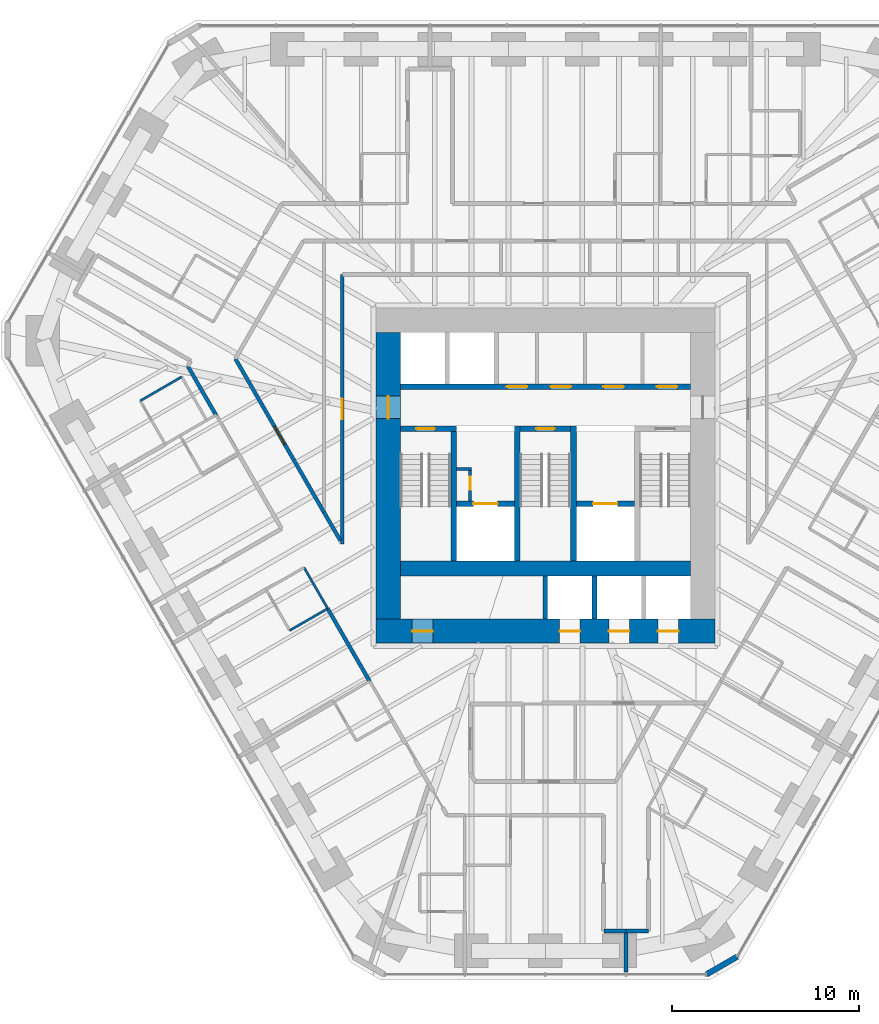
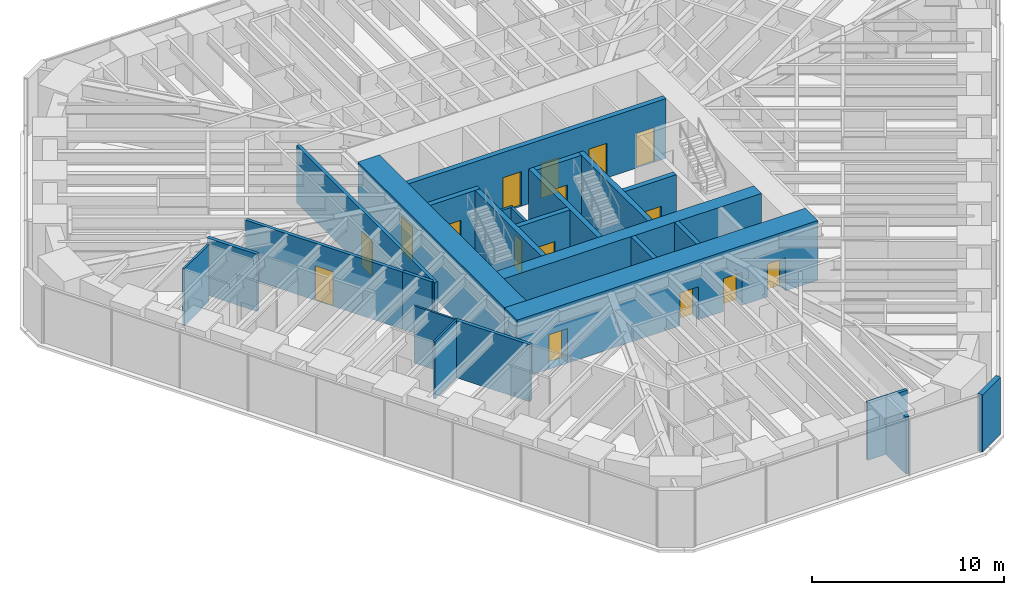
# One storey, part 12 of 17: 27 walls, 16 doors, 16 openings.
"""IFC4 building model written with IfcOpenShell, lengths in metres."""

from ifc_helpers import new_model, si_unit, direction, frame, frame_2d, origin, place, context, subcontext, project, spatial, rectangle, extrude, material, layer, layer_set, type_object, element, fill, save


model = new_model("IFC4")

# Units and contexts
model_context = context("Model", 3, precision=1e-05, world=origin(), true_north=direction((0.0, 1.0)))
body_context = subcontext(model_context, "Body", "Model", "MODEL_VIEW")
ifc_project = project(units=[si_unit("LENGTHUNIT", "METRE"), si_unit("AREAUNIT", "SQUARE_METRE"), si_unit("VOLUMEUNIT", "CUBIC_METRE"), si_unit("PLANEANGLEUNIT", "RADIAN"), si_unit("MASSUNIT", "GRAM", prefix="KILO")], contexts=[model_context])

# Site, building, storey
site_placement = place(None, origin())
site = spatial("IfcSite", under=ifc_project, at=site_placement, CompositionType="ELEMENT")
building_placement = place(site_placement, origin())
building = spatial("IfcBuilding", under=site, at=building_placement, Name="Sandreach Pilgrim Tower", CompositionType="ELEMENT")
storey_placement = place(building_placement, frame((0.0, 0.0, 112.0)))
storey = spatial("IfcBuildingStorey", under=building, at=storey_placement, Name="L27", CompositionType="ELEMENT", Elevation=112.0)

# Walls
ifc_material_1 = material(Name="Moisture-resistant gypsum board on steel studs", Category="steel")
ifc_layer_1 = layer(ifc_material_1, 0.1201171875)
ifc_layer_set_1 = layer_set([ifc_layer_1], Name="Bathroom partition 120")
wall_type_1 = type_object("IfcWallType", Name="Bathroom partition 120", PredefinedType="PARTITIONING", material=ifc_layer_set_1)
wall_1_placement = place(storey_placement, frame((-19.429931640625, 3.72998046875, 0.0), z_axis=(0.0, 0.0, 1.0), x_axis=(-0.865328095335, -0.50120583339, 0.0)))
element("IfcWall", 1, at=wall_1_placement, inside=storey, type_object=wall_type_1, Name="Bathroom partition L27-013", PredefinedType="PARTITIONING", context=body_context, shape_type="SweptSolid", body=[
    extrude(rectangle(XDim=2.553955078125, YDim=0.1201171875, at=frame_2d((1.27685546875, 0.0))), origin(), (0.0, 0.0, 1.0), 3.639892578125),
])
wall_2_placement = place(storey_placement, frame((-13.659912109375, -9.820068359375, 0.0), z_axis=(0.0, 0.0, 1.0), x_axis=(0.866345142729, 0.499445786517, 0.0)))
element("IfcWall", 2, at=wall_2_placement, inside=storey, type_object=wall_type_1, Name="Bathroom partition L27-030", PredefinedType="PARTITIONING", context=body_context, shape_type="SweptSolid", body=[
    extrude(rectangle(XDim=2.343017578125, YDim=0.1201171875, at=frame_2d((1.17138671875, 0.0))), origin(), (0.0, 0.0, 1.0), 3.639892578125),
])
wall_3_placement = place(storey_placement, frame((-12.889892578125, -6.4599609375, 0.0), z_axis=(0.0, 0.0, 1.0), x_axis=(0.498707120669, -0.866770562372, 0.0)))
element("IfcWall", 3, at=wall_3_placement, inside=storey, type_object=wall_type_1, Name="Bathroom partition L27-032", PredefinedType="PARTITIONING", context=body_context, shape_type="SweptSolid", body=[
    extrude(rectangle(XDim=2.526611328125, YDim=0.1201171875, at=frame_2d((1.26318359375, 0.0))), origin(), (0.0, 0.0, 1.0), 3.639892578125),
])
ifc_material_2 = material(Name="Concrete 10000 psi", Category="concrete")
ifc_layer_2 = layer(ifc_material_2, 0.300048828125)
ifc_layer_set_2 = layer_set([ifc_layer_2], Name="Core inner wall 300")
wall_type_2 = type_object("IfcWallType", Name="Core inner wall 300", PredefinedType="SHEAR", material=ifc_layer_set_2)
for number, where, z_axis, x_axis, name in (
    (4, (-4.89990234375, -6.10009765625, 0.0), (0.0, 0.0, 1.0), (0.0, 1.0, 0.0), "Core wall I0 L27"),
    (5, (-1.5, -6.10009765625, 0.0), (0.0, 0.0, 1.0), (0.0, 1.0, 0.0), "Core wall I1 L27"),
    (6, (1.5, -6.10009765625, 0.0), (0.0, 0.0, 1.0), (0.0, 1.0, 0.0), "Core wall I2 L27"),
):
    element("IfcWall", number, at=place(storey_placement, frame(where, z_axis=z_axis, x_axis=x_axis)), inside=storey, type_object=wall_type_2, Name=name, PredefinedType="SHEAR", context=body_context, shape_type="SweptSolid", body=[
        extrude(rectangle(XDim=7.2001953125, YDim=0.300048828125, at=frame_2d((3.60009765625, 0.0))), origin(), (0.0, 0.0, 1.0), 3.800048828125),
    ])

# Wall, opening, door
wall_4_placement = place(storey_placement, frame((-7.75, 0.949951171875, 0.0), z_axis=(0.0, 0.0, 1.0), x_axis=(1.0, 0.0, 0.0)))
wall_4 = element("IfcWall", 7, at=wall_4_placement, inside=storey, type_object=wall_type_2, Name="Core wall SN1 L27", PredefinedType="SHEAR", context=body_context, shape_type="SweptSolid", body=[
    extrude(rectangle(XDim=3.0, YDim=0.300048828125, at=frame_2d((1.5, 0.0))), origin(), (0.0, 0.0, 1.0), 3.800048828125),
])
opening_1_placement = place(wall_4_placement, frame((0.85009765625, 0.0, 0.0)))
opening_1 = element("IfcOpeningElement", 8, at=opening_1_placement, cuts=wall_4, Name="Opening D10S-ST1", PredefinedType="OPENING", context=body_context, shape_type="SweptSolid", body=[
    extrude(rectangle(XDim=1.0, YDim=2.199951171875, at=frame_2d((0.5, 1.10009765625))), frame((0.0, 0.14990234375, 0.0), z_axis=(0.0, -1.0, 0.0), x_axis=(1.0, 0.0, 0.0)), (0.0, 0.0, 1.0), 0.300048828125),
])
ifc_material_3 = material(Name="Steel door and frame", Category="steel")
door_type_1 = type_object("IfcDoorType", Name="Stair door", OperationType="SINGLE_SWING_LEFT", PredefinedType="DOOR", material=ifc_material_3)
door_1_placement = place(opening_1_placement, origin())
door_1 = element("IfcDoor", 9, at=door_1_placement, inside=storey, type_object=door_type_1, Name="Stair door ST1 L27", OperationType="SINGLE_SWING_LEFT", OverallHeight=2.199951171875, OverallWidth=1.0, PredefinedType="DOOR", context=body_context, shape_type="SweptSolid", body=[
    extrude(rectangle(XDim=1.0, YDim=2.199951171875, at=frame_2d((0.5, 1.10009765625))), frame((0.0, 0.02490234375, 0.0), z_axis=(0.0, -1.0, 0.0), x_axis=(1.0, 0.0, 0.0)), (0.0, 0.0, 1.0), 0.050048828125),
])
fill(opening_1, door_1)

wall_5_placement = place(storey_placement, frame((-1.35009765625, 0.949951171875, 0.0), z_axis=(0.0, 0.0, 1.0), x_axis=(1.0, 0.0, 0.0)))
wall_5 = element("IfcWall", 10, at=wall_5_placement, inside=storey, type_object=wall_type_2, Name="Core wall SN3 L27", PredefinedType="SHEAR", context=body_context, shape_type="SweptSolid", body=[
    extrude(rectangle(XDim=2.7001953125, YDim=0.300048828125, at=frame_2d((1.35009765625, 0.0))), origin(), (0.0, 0.0, 1.0), 3.800048828125),
])
opening_2_placement = place(wall_5_placement, frame((0.85009765625, 0.0, 0.0)))
opening_2 = element("IfcOpeningElement", 11, at=opening_2_placement, cuts=wall_5, Name="Opening D10S-ST3", PredefinedType="OPENING", context=body_context, shape_type="SweptSolid", body=[
    extrude(rectangle(XDim=1.0, YDim=2.199951171875, at=frame_2d((0.5, 1.10009765625))), frame((0.0, 0.14990234375, 0.0), z_axis=(0.0, -1.0, 0.0), x_axis=(1.0, 0.0, 0.0)), (0.0, 0.0, 1.0), 0.300048828125),
])
door_2_placement = place(opening_2_placement, origin())
door_2 = element("IfcDoor", 12, at=door_2_placement, inside=storey, type_object=door_type_1, Name="Stair door ST3 L27", OperationType="SINGLE_SWING_LEFT", OverallHeight=2.199951171875, OverallWidth=1.0, PredefinedType="DOOR", context=body_context, shape_type="SweptSolid", body=[
    extrude(rectangle(XDim=1.0, YDim=2.199951171875, at=frame_2d((0.5, 1.10009765625))), frame((0.0, 0.02490234375, 0.0), z_axis=(0.0, -1.0, 0.0), x_axis=(1.0, 0.0, 0.0)), (0.0, 0.0, 1.0), 0.050048828125),
])
fill(opening_2, door_2)

wall_6_placement = place(storey_placement, frame((-4.75, -3.050048828125, 0.0), z_axis=(0.0, 0.0, 1.0), x_axis=(1.0, 0.0, 0.0)))
wall_6 = element("IfcWall", 13, at=wall_6_placement, inside=storey, type_object=wall_type_2, Name="Core wall FL1 L27", PredefinedType="SHEAR", context=body_context, shape_type="SweptSolid", body=[
    extrude(rectangle(XDim=3.10009765625, YDim=0.300048828125, at=frame_2d((1.550048828125, 0.0))), origin(), (0.0, 0.0, 1.0), 3.800048828125),
])
opening_3_placement = place(wall_6_placement, frame((0.89990234375, 0.0, 0.0)))
opening_3 = element("IfcOpeningElement", 14, at=opening_3_placement, cuts=wall_6, Name="Opening LD13", PredefinedType="OPENING", context=body_context, shape_type="SweptSolid", body=[
    extrude(rectangle(XDim=1.300048828125, YDim=2.10009765625, at=frame_2d((0.64990234375, 1.050048828125))), frame((0.0, 0.14990234375, 0.0), z_axis=(0.0, -1.0, 0.0), x_axis=(1.0, 0.0, 0.0)), (0.0, 0.0, 1.0), 0.300048828125),
])
ifc_material_4 = material(Name="Steel door and frame", Category="steel")
door_type_2 = type_object("IfcDoorType", Name="Fire service lift landing door", OperationType="DOUBLE_DOOR_SLIDING", PredefinedType="DOOR", material=ifc_material_4)
door_3_placement = place(opening_3_placement, origin())
door_3 = element("IfcDoor", 15, at=door_3_placement, inside=storey, type_object=door_type_2, Name="Lift landing door FS1 L27", OperationType="DOUBLE_DOOR_SLIDING", OverallHeight=2.10009765625, OverallWidth=1.300048828125, PredefinedType="DOOR", context=body_context, shape_type="SweptSolid", body=[
    extrude(rectangle(XDim=1.300048828125, YDim=2.10009765625, at=frame_2d((0.64990234375, 1.050048828125))), frame((0.0, 0.02490234375, 0.0), z_axis=(0.0, -1.0, 0.0), x_axis=(1.0, 0.0, 0.0)), (0.0, 0.0, 1.0), 0.050048828125),
])
fill(opening_3, door_3)

wall_7_placement = place(storey_placement, frame((1.64990234375, -3.050048828125, 0.0), z_axis=(0.0, 0.0, 1.0), x_axis=(1.0, 0.0, 0.0)))
wall_7 = element("IfcWall", 16, at=wall_7_placement, inside=storey, type_object=wall_type_2, Name="Core wall FL2 L27", PredefinedType="SHEAR", context=body_context, shape_type="SweptSolid", body=[
    extrude(rectangle(XDim=3.10009765625, YDim=0.300048828125, at=frame_2d((1.550048828125, 0.0))), origin(), (0.0, 0.0, 1.0), 3.800048828125),
])
opening_4_placement = place(wall_7_placement, frame((0.89990234375, 0.0, 0.0)))
opening_4 = element("IfcOpeningElement", 17, at=opening_4_placement, cuts=wall_7, Name="Opening LD13", PredefinedType="OPENING", context=body_context, shape_type="SweptSolid", body=[
    extrude(rectangle(XDim=1.300048828125, YDim=2.10009765625, at=frame_2d((0.64990234375, 1.050048828125))), frame((0.0, 0.14990234375, 0.0), z_axis=(0.0, -1.0, 0.0), x_axis=(1.0, 0.0, 0.0)), (0.0, 0.0, 1.0), 0.300048828125),
])
door_4_placement = place(opening_4_placement, origin())
door_4 = element("IfcDoor", 18, at=door_4_placement, inside=storey, type_object=door_type_2, Name="Lift landing door FS2 L27", OperationType="DOUBLE_DOOR_SLIDING", OverallHeight=2.10009765625, OverallWidth=1.300048828125, PredefinedType="DOOR", context=body_context, shape_type="SweptSolid", body=[
    extrude(rectangle(XDim=1.300048828125, YDim=2.10009765625, at=frame_2d((0.64990234375, 1.050048828125))), frame((0.0, 0.02490234375, 0.0), z_axis=(0.0, -1.0, 0.0), x_axis=(1.0, 0.0, 0.0)), (0.0, 0.0, 1.0), 0.050048828125),
])
fill(opening_4, door_4)

# Wall, openings, doors
wall_8_placement = place(storey_placement, frame((-7.75, 3.199951171875, 0.0), z_axis=(0.0, 0.0, 1.0), x_axis=(1.0, 0.0, 0.0)))
wall_8 = element("IfcWall", 19, at=wall_8_placement, inside=storey, type_object=wall_type_2, Name="Core wall PN L27", PredefinedType="SHEAR", context=body_context, shape_type="SweptSolid", body=[
    extrude(rectangle(XDim=15.5, YDim=0.300048828125, at=frame_2d((7.75, 0.0))), origin(), (0.0, 0.0, 1.0), 3.800048828125),
])
opening_5_placement = place(wall_8_placement, frame((5.6875, 0.0, 0.0)))
opening_5 = element("IfcOpeningElement", 20, at=opening_5_placement, cuts=wall_8, Name="Opening D11L", PredefinedType="OPENING", context=body_context, shape_type="SweptSolid", body=[
    extrude(rectangle(XDim=1.10009765625, YDim=2.199951171875, at=frame_2d((0.550048828125, 1.10009765625))), frame((0.0, 0.14990234375, 0.0), z_axis=(0.0, -1.0, 0.0), x_axis=(1.0, 0.0, 0.0)), (0.0, 0.0, 1.0), 0.300048828125),
])
opening_6_placement = place(wall_8_placement, frame((8.03125, 0.0, 0.0)))
opening_6 = element("IfcOpeningElement", 21, at=opening_6_placement, cuts=wall_8, Name="Opening D11L", PredefinedType="OPENING", context=body_context, shape_type="SweptSolid", body=[
    extrude(rectangle(XDim=1.10009765625, YDim=2.199951171875, at=frame_2d((0.550048828125, 1.10009765625))), frame((0.0, 0.14990234375, 0.0), z_axis=(0.0, -1.0, 0.0), x_axis=(1.0, 0.0, 0.0)), (0.0, 0.0, 1.0), 0.300048828125),
])
opening_7_placement = place(wall_8_placement, frame((10.85009765625, 0.0, 0.0)))
opening_7 = element("IfcOpeningElement", 22, at=opening_7_placement, cuts=wall_8, Name="Opening D11L", PredefinedType="OPENING", context=body_context, shape_type="SweptSolid", body=[
    extrude(rectangle(XDim=1.10009765625, YDim=2.199951171875, at=frame_2d((0.550048828125, 1.10009765625))), frame((0.0, 0.14990234375, 0.0), z_axis=(0.0, -1.0, 0.0), x_axis=(1.0, 0.0, 0.0)), (0.0, 0.0, 1.0), 0.300048828125),
])
opening_8_placement = place(wall_8_placement, frame((13.706298828125, 0.0, 0.0)))
opening_8 = element("IfcOpeningElement", 23, at=opening_8_placement, cuts=wall_8, Name="Opening D11L", PredefinedType="OPENING", context=body_context, shape_type="SweptSolid", body=[
    extrude(rectangle(XDim=1.10009765625, YDim=2.199951171875, at=frame_2d((0.550048828125, 1.10009765625))), frame((0.0, 0.14990234375, 0.0), z_axis=(0.0, -1.0, 0.0), x_axis=(1.0, 0.0, 0.0)), (0.0, 0.0, 1.0), 0.300048828125),
])
ifc_material_5 = material(Name="Steel door and frame, smoke seals", Category="steel")
door_type_3 = type_object("IfcDoorType", Name="Core room door", OperationType="SINGLE_SWING_LEFT", PredefinedType="DOOR", material=ifc_material_5)
door_5_placement = place(opening_5_placement, origin())
door_5 = element("IfcDoor", 24, at=door_5_placement, inside=storey, type_object=door_type_3, Name="Door linen and housekeeping store 27K1", OperationType="SINGLE_SWING_LEFT", OverallHeight=2.199951171875, OverallWidth=1.10009765625, PredefinedType="DOOR", context=body_context, shape_type="SweptSolid", body=[
    extrude(rectangle(XDim=1.10009765625, YDim=2.199951171875, at=frame_2d((0.550048828125, 1.10009765625))), frame((0.0, 0.02490234375, 0.0), z_axis=(0.0, -1.0, 0.0), x_axis=(1.0, 0.0, 0.0)), (0.0, 0.0, 1.0), 0.050048828125),
])
fill(opening_5, door_5)
door_6_placement = place(opening_6_placement, origin())
door_6 = element("IfcDoor", 25, at=door_6_placement, inside=storey, type_object=door_type_3, Name="Door cleaners store 27K2", OperationType="SINGLE_SWING_RIGHT", OverallHeight=2.199951171875, OverallWidth=1.10009765625, PredefinedType="DOOR", context=body_context, shape_type="SweptSolid", body=[
    extrude(rectangle(XDim=1.10009765625, YDim=2.199951171875, at=frame_2d((0.550048828125, 1.10009765625))), frame((0.0, 0.02490234375, 0.0), z_axis=(0.0, -1.0, 0.0), x_axis=(1.0, 0.0, 0.0)), (0.0, 0.0, 1.0), 0.050048828125),
])
fill(opening_6, door_6)
door_7_placement = place(opening_7_placement, origin())
door_7 = element("IfcDoor", 26, at=door_7_placement, inside=storey, type_object=door_type_3, Name="Door storage room 27K3", OperationType="SINGLE_SWING_RIGHT", OverallHeight=2.199951171875, OverallWidth=1.10009765625, PredefinedType="DOOR", context=body_context, shape_type="SweptSolid", body=[
    extrude(rectangle(XDim=1.10009765625, YDim=2.199951171875, at=frame_2d((0.550048828125, 1.10009765625))), frame((0.0, 0.02490234375, 0.0), z_axis=(0.0, -1.0, 0.0), x_axis=(1.0, 0.0, 0.0)), (0.0, 0.0, 1.0), 0.050048828125),
])
fill(opening_7, door_7)
door_8_placement = place(opening_8_placement, origin())
door_8 = element("IfcDoor", 27, at=door_8_placement, inside=storey, type_object=door_type_3, Name="Door refuse room 27K4", OperationType="SINGLE_SWING_RIGHT", OverallHeight=2.199951171875, OverallWidth=1.10009765625, PredefinedType="DOOR", context=body_context, shape_type="SweptSolid", body=[
    extrude(rectangle(XDim=1.10009765625, YDim=2.199951171875, at=frame_2d((0.550048828125, 1.10009765625))), frame((0.0, 0.02490234375, 0.0), z_axis=(0.0, -1.0, 0.0), x_axis=(1.0, 0.0, 0.0)), (0.0, 0.0, 1.0), 0.050048828125),
])
fill(opening_8, door_8)

# Wall
ifc_material_6 = material(Name="Concrete 10000 psi", Category="concrete")
ifc_layer_3 = layer(ifc_material_6, 0.800048828125)
ifc_layer_set_3 = layer_set([ifc_layer_3], Name="Core mid wall 800")
wall_type_3 = type_object("IfcWallType", Name="Core mid wall 800", PredefinedType="SHEAR", material=ifc_layer_set_3)
wall_9_placement = place(storey_placement, frame((-7.75, -6.5, 0.0), z_axis=(0.0, 0.0, 1.0), x_axis=(1.0, 0.0, 0.0)))
element("IfcWall", 28, at=wall_9_placement, inside=storey, type_object=wall_type_3, Name="Core wall M L27", PredefinedType="SHEAR", context=body_context, shape_type="SweptSolid", body=[
    extrude(rectangle(XDim=15.5, YDim=0.800048828125, at=frame_2d((7.75, 0.0))), origin(), (0.0, 0.0, 1.0), 3.800048828125),
])

# Wall, openings, doors
ifc_material_7 = material(Name="Concrete 10000 psi", Category="concrete")
ifc_layer_4 = layer(ifc_material_7, 1.300048828125)
ifc_layer_set_4 = layer_set([ifc_layer_4], Name="Core wall 1300")
wall_type_4 = type_object("IfcWallType", Name="Core wall 1300", PredefinedType="SHEAR", material=ifc_layer_set_4)
wall_10_placement = place(storey_placement, frame((-9.050048828125, -9.85009765625, 0.0), z_axis=(0.0, 0.0, 1.0), x_axis=(1.0, 0.0, 0.0)))
wall_10 = element("IfcWall", 29, at=wall_10_placement, inside=storey, type_object=wall_type_4, Name="Core wall S L27", PredefinedType="SHEAR", context=body_context, shape_type="SweptSolid", body=[
    extrude(rectangle(XDim=18.10009765625, YDim=1.300048828125, at=frame_2d((9.050048828125, 0.0))), origin(), (0.0, 0.0, 1.0), 3.800048828125),
])
opening_9_placement = place(wall_10_placement, frame((1.9375, 0.0, 0.0)))
opening_9 = element("IfcOpeningElement", 30, at=opening_9_placement, cuts=wall_10, Name="Opening D11H", PredefinedType="OPENING", context=body_context, shape_type="SweptSolid", body=[
    extrude(rectangle(XDim=1.10009765625, YDim=2.199951171875, at=frame_2d((0.550048828125, 1.10009765625))), frame((0.0, 0.64990234375, 0.0), z_axis=(0.0, -1.0, 0.0), x_axis=(1.0, 0.0, 0.0)), (0.0, 0.0, 1.0), 1.300048828125),
])
opening_10_placement = place(wall_10_placement, frame((9.8125, 0.0, 0.0)))
opening_10 = element("IfcOpeningElement", 31, at=opening_10_placement, cuts=wall_10, Name="Opening LD11", PredefinedType="OPENING", context=body_context, shape_type="SweptSolid", body=[
    extrude(rectangle(XDim=1.10009765625, YDim=2.10009765625, at=frame_2d((0.550048828125, 1.050048828125))), frame((0.0, 0.64990234375, 0.0), z_axis=(0.0, -1.0, 0.0), x_axis=(1.0, 0.0, 0.0)), (0.0, 0.0, 1.0), 1.300048828125),
])
opening_11_placement = place(wall_10_placement, frame((12.4375, 0.0, 0.0)))
opening_11 = element("IfcOpeningElement", 32, at=opening_11_placement, cuts=wall_10, Name="Opening LD11", PredefinedType="OPENING", context=body_context, shape_type="SweptSolid", body=[
    extrude(rectangle(XDim=1.10009765625, YDim=2.10009765625, at=frame_2d((0.550048828125, 1.050048828125))), frame((0.0, 0.64990234375, 0.0), z_axis=(0.0, -1.0, 0.0), x_axis=(1.0, 0.0, 0.0)), (0.0, 0.0, 1.0), 1.300048828125),
])
opening_12_placement = place(wall_10_placement, frame((15.0625, 0.0, 0.0)))
opening_12 = element("IfcOpeningElement", 33, at=opening_12_placement, cuts=wall_10, Name="Opening LD11", PredefinedType="OPENING", context=body_context, shape_type="SweptSolid", body=[
    extrude(rectangle(XDim=1.10009765625, YDim=2.10009765625, at=frame_2d((0.550048828125, 1.050048828125))), frame((0.0, 0.64990234375, 0.0), z_axis=(0.0, -1.0, 0.0), x_axis=(1.0, 0.0, 0.0)), (0.0, 0.0, 1.0), 1.300048828125),
])
ifc_material_8 = material(Name="Steel door and frame", Category="steel")
door_type_4 = type_object("IfcDoorType", Name="Back of house door", OperationType="SINGLE_SWING_LEFT", PredefinedType="DOOR", material=ifc_material_8)
door_9_placement = place(opening_9_placement, origin())
door_9 = element("IfcDoor", 34, at=door_9_placement, inside=storey, type_object=door_type_4, Name="Door staff room 27K5", OperationType="SINGLE_SWING_LEFT", OverallHeight=2.199951171875, OverallWidth=1.10009765625, PredefinedType="DOOR", context=body_context, shape_type="SweptSolid", body=[
    extrude(rectangle(XDim=1.10009765625, YDim=2.199951171875, at=frame_2d((0.550048828125, 1.10009765625))), frame((0.0, 0.02490234375, 0.0), z_axis=(0.0, -1.0, 0.0), x_axis=(1.0, 0.0, 0.0)), (0.0, 0.0, 1.0), 0.050048828125),
])
fill(opening_9, door_9)
ifc_material_9 = material(Name="Steel door and frame", Category="steel")
door_type_5 = type_object("IfcDoorType", Name="Lift landing door", OperationType="DOUBLE_DOOR_SLIDING", PredefinedType="DOOR", material=ifc_material_9)
door_10_placement = place(opening_10_placement, origin())
door_10 = element("IfcDoor", 35, at=door_10_placement, inside=storey, type_object=door_type_5, Name="Lift landing door Z2A L27", OperationType="DOUBLE_DOOR_SLIDING", OverallHeight=2.10009765625, OverallWidth=1.10009765625, PredefinedType="DOOR", context=body_context, shape_type="SweptSolid", body=[
    extrude(rectangle(XDim=1.10009765625, YDim=2.10009765625, at=frame_2d((0.550048828125, 1.050048828125))), frame((0.0, 0.02490234375, 0.0), z_axis=(0.0, -1.0, 0.0), x_axis=(1.0, 0.0, 0.0)), (0.0, 0.0, 1.0), 0.050048828125),
])
fill(opening_10, door_10)
door_11_placement = place(opening_11_placement, origin())
door_11 = element("IfcDoor", 36, at=door_11_placement, inside=storey, type_object=door_type_5, Name="Lift landing door Z2B L27", OperationType="DOUBLE_DOOR_SLIDING", OverallHeight=2.10009765625, OverallWidth=1.10009765625, PredefinedType="DOOR", context=body_context, shape_type="SweptSolid", body=[
    extrude(rectangle(XDim=1.10009765625, YDim=2.10009765625, at=frame_2d((0.550048828125, 1.050048828125))), frame((0.0, 0.02490234375, 0.0), z_axis=(0.0, -1.0, 0.0), x_axis=(1.0, 0.0, 0.0)), (0.0, 0.0, 1.0), 0.050048828125),
])
fill(opening_11, door_11)
door_12_placement = place(opening_12_placement, origin())
door_12 = element("IfcDoor", 37, at=door_12_placement, inside=storey, type_object=door_type_5, Name="Lift landing door Z2C L27", OperationType="DOUBLE_DOOR_SLIDING", OverallHeight=2.10009765625, OverallWidth=1.10009765625, PredefinedType="DOOR", context=body_context, shape_type="SweptSolid", body=[
    extrude(rectangle(XDim=1.10009765625, YDim=2.10009765625, at=frame_2d((0.550048828125, 1.050048828125))), frame((0.0, 0.02490234375, 0.0), z_axis=(0.0, -1.0, 0.0), x_axis=(1.0, 0.0, 0.0)), (0.0, 0.0, 1.0), 0.050048828125),
])
fill(opening_12, door_12)

# Wall, opening, door
wall_11_placement = place(storey_placement, frame((-8.39990234375, -9.199951171875, 0.0), z_axis=(0.0, 0.0, 1.0), x_axis=(0.0, 1.0, 0.0)))
wall_11 = element("IfcWall", 38, at=wall_11_placement, inside=storey, type_object=wall_type_4, Name="Core wall W L27", PredefinedType="SHEAR", context=body_context, shape_type="SweptSolid", body=[
    extrude(rectangle(XDim=15.300048828125, YDim=1.300048828125, at=frame_2d((7.64990234375, 0.0))), origin(), (0.0, 0.0, 1.0), 3.800048828125),
])
opening_13_placement = place(wall_11_placement, frame((10.699951171875, 0.0, 0.0)))
opening_13 = element("IfcOpeningElement", 39, at=opening_13_placement, cuts=wall_11, Name="Opening D12F-W", PredefinedType="OPENING", context=body_context, shape_type="SweptSolid", body=[
    extrude(rectangle(XDim=1.199951171875, YDim=2.199951171875, at=frame_2d((0.60009765625, 1.10009765625))), frame((0.0, 0.64990234375, 0.0), z_axis=(0.0, -1.0, 0.0), x_axis=(1.0, 0.0, 0.0)), (0.0, 0.0, 1.0), 1.300048828125),
])
ifc_material_10 = material(Name="Steel door and frame", Category="steel")
door_type_6 = type_object("IfcDoorType", Name="Fire lobby door", OperationType="SINGLE_SWING_LEFT", PredefinedType="DOOR", material=ifc_material_10)
door_13_placement = place(opening_13_placement, origin())
door_13 = element("IfcDoor", 40, at=door_13_placement, inside=storey, type_object=door_type_6, Name="Fire service lobby door W L27", OperationType="SINGLE_SWING_RIGHT", OverallHeight=2.199951171875, OverallWidth=1.199951171875, PredefinedType="DOOR", context=body_context, shape_type="SweptSolid", body=[
    extrude(rectangle(XDim=1.199951171875, YDim=2.199951171875, at=frame_2d((0.60009765625, 1.10009765625))), frame((0.0, 0.02490234375, 0.0), z_axis=(0.0, -1.0, 0.0), x_axis=(1.0, 0.0, 0.0)), (0.0, 0.0, 1.0), 0.050048828125),
])
fill(opening_13, door_13)

# Wall
ifc_material_11 = material(Name="Gypsum board on steel studs, two layers each side", Category="steel")
ifc_layer_5 = layer(ifc_material_11, 0.199951171875)
ifc_layer_set_5 = layer_set([ifc_layer_5], Name="Corridor wall 200")
wall_type_5 = type_object("IfcWallType", Name="Corridor wall 200", PredefinedType="PARTITIONING", material=ifc_layer_set_5)
wall_12_placement = place(storey_placement, frame((-19.10009765625, 4.300048828125, 0.0), z_axis=(0.0, 0.0, 1.0), x_axis=(0.498268459914, -0.867022803538, 0.0)))
element("IfcWall", 41, at=wall_12_placement, inside=storey, type_object=wall_type_5, Name="Corridor wall L27-014", PredefinedType="PARTITIONING", context=body_context, shape_type="SweptSolid", body=[
    extrude(rectangle(XDim=3.010498046875, YDim=0.199951171875, at=frame_2d((1.50537109375, 0.0))), origin(), (0.0, 0.0, 1.0), 3.639892578125),
])

# Wall, opening, door
wall_13_placement = place(storey_placement, frame((-11.830078125, -3.5, 0.0), z_axis=(0.0, 0.0, 1.0), x_axis=(-0.499662169849, 0.866220362276, 0.0)))
wall_13 = element("IfcWall", 42, at=wall_13_placement, inside=storey, type_object=wall_type_5, Name="Corridor wall L27-033", PredefinedType="PARTITIONING", context=body_context, shape_type="SweptSolid", body=[
    extrude(rectangle(XDim=9.46630859375, YDim=0.199951171875, at=frame_2d((4.733154296875, 0.0))), origin(), (0.0, 0.0, 1.0), 3.639892578125),
])
opening_14_placement = place(wall_13_placement, frame((4.18310546875, 0.0, 0.0)))
opening_14 = element("IfcOpeningElement", 43, at=opening_14_placement, cuts=wall_13, Name="Opening D11H-M01", PredefinedType="OPENING", context=body_context, shape_type="SweptSolid", body=[
    extrude(rectangle(XDim=1.10009765625, YDim=2.199951171875, at=frame_2d((0.550048828125, 1.10009765625))), frame((0.0, 0.10009765625, 0.0), z_axis=(0.0, -1.0, 0.0), x_axis=(1.0, 0.0, 0.0)), (0.0, 0.0, 1.0), 0.199951171875),
])
door_14_placement = place(opening_14_placement, origin())
door_14 = element("IfcDoor", 44, at=door_14_placement, inside=storey, type_object=door_type_4, Name="Door 27M01", OperationType="SINGLE_SWING_LEFT", OverallHeight=2.199951171875, OverallWidth=1.10009765625, PredefinedType="DOOR", context=body_context, shape_type="SweptSolid", body=[
    extrude(rectangle(XDim=1.10009765625, YDim=2.199951171875, at=frame_2d((0.550048828125, 1.10009765625))), frame((0.0, 0.02490234375, 0.0), z_axis=(0.0, -1.0, 0.0), x_axis=(1.0, 0.0, 0.0)), (0.0, 0.0, 1.0), 0.050048828125),
])
fill(opening_14, door_14)

# Walls
wall_14_placement = place(storey_placement, frame((-11.6298828125, -8.64990234375, 0.0), z_axis=(0.0, 0.0, 1.0), x_axis=(0.499966166967, -0.866044936414, 0.0)))
element("IfcWall", 45, at=wall_14_placement, inside=storey, type_object=wall_type_5, Name="Corridor wall L27-036", PredefinedType="PARTITIONING", context=body_context, shape_type="SweptSolid", body=[
    extrude(rectangle(XDim=4.480224609375, YDim=0.199951171875, at=frame_2d((2.240234375, 0.0))), origin(), (0.0, 0.0, 1.0), 3.639892578125),
])
wall_15_placement = place(storey_placement, frame((-10.950439453125, -5.01708984375, 0.0), z_axis=(0.0, 0.0, 1.0), x_axis=(-0.501601410683, 0.865098852618, 0.0)))
element("IfcWall", 46, at=wall_15_placement, inside=storey, type_object=wall_type_5, Name="Corridor wall L27-041", PredefinedType="PARTITIONING", context=body_context, shape_type="SweptSolid", body=[
    extrude(rectangle(XDim=1.753662109375, YDim=0.199951171875, at=frame_2d((0.876953125, 0.0))), origin(), (0.0, 0.0, 1.0), 3.639892578125),
])

# Wall, opening, door
wall_16_placement = place(storey_placement, frame((-10.85009765625, 9.199951171875, 0.0), z_axis=(0.0, 0.0, 1.0), x_axis=(0.0, -1.0, 0.0)))
wall_16 = element("IfcWall", 47, at=wall_16_placement, inside=storey, type_object=wall_type_5, Name="Corridor wall L27-042", PredefinedType="PARTITIONING", context=body_context, shape_type="SweptSolid", body=[
    extrude(rectangle(XDim=14.389892578125, YDim=0.199951171875, at=frame_2d((7.19482421875, 0.0))), origin(), (0.0, 0.0, 1.0), 3.639892578125),
])
opening_15_placement = place(wall_16_placement, frame((6.64501953125, 0.0, 0.0)))
opening_15 = element("IfcOpeningElement", 48, at=opening_15_placement, cuts=wall_16, Name="Opening D11H-M02", PredefinedType="OPENING", context=body_context, shape_type="SweptSolid", body=[
    extrude(rectangle(XDim=1.10009765625, YDim=2.199951171875, at=frame_2d((0.550048828125, 1.10009765625))), frame((0.0, 0.10009765625, 0.0), z_axis=(0.0, -1.0, 0.0), x_axis=(1.0, 0.0, 0.0)), (0.0, 0.0, 1.0), 0.199951171875),
])
door_15_placement = place(opening_15_placement, origin())
door_15 = element("IfcDoor", 49, at=door_15_placement, inside=storey, type_object=door_type_4, Name="Door 27M02", OperationType="SINGLE_SWING_LEFT", OverallHeight=2.199951171875, OverallWidth=1.10009765625, PredefinedType="DOOR", context=body_context, shape_type="SweptSolid", body=[
    extrude(rectangle(XDim=1.10009765625, YDim=2.199951171875, at=frame_2d((0.550048828125, 1.10009765625))), frame((0.0, 0.02490234375, 0.0), z_axis=(0.0, -1.0, 0.0), x_axis=(1.0, 0.0, 0.0)), (0.0, 0.0, 1.0), 0.050048828125),
])
fill(opening_15, door_15)

# Walls
for number, where, z_axis, x_axis, name in (
    (50, (3.1201171875, -25.8798828125, 0.0), (0.0, 0.0, 1.0), (1.0, 0.0, 0.0), "Corridor wall L27-088"),
    (51, (4.31005859375, -25.8798828125, 0.0), (0.0, 0.0, 1.0), (1.0, 0.0, 0.0), "Corridor wall L27-093"),
):
    element("IfcWall", number, at=place(storey_placement, frame(where, z_axis=z_axis, x_axis=x_axis)), inside=storey, type_object=wall_type_5, Name=name, PredefinedType="PARTITIONING", context=body_context, shape_type="SweptSolid", body=[
        extrude(rectangle(XDim=1.18994140625, YDim=0.199951171875, at=frame_2d((0.594970703125, 0.0))), origin(), (0.0, 0.0, 1.0), 3.639892578125),
    ])
ifc_material_12 = material(Name="Double steel stud acoustic wall, gypsum board", Category="steel")
ifc_layer_6 = layer(ifc_material_12, 0.199951171875)
ifc_layer_set_6 = layer_set([ifc_layer_6], Name="Party wall 200")
wall_type_6 = type_object("IfcWallType", Name="Party wall 200", PredefinedType="PARTITIONING", material=ifc_layer_set_6)
wall_17_placement = place(storey_placement, frame((4.31005859375, -28.070068359375, 0.0), z_axis=(0.0, 0.0, 1.0), x_axis=(0.0, 1.0, 0.0)))
element("IfcWall", 52, at=wall_17_placement, inside=storey, type_object=wall_type_6, Name="Party wall L27-092", PredefinedType="PARTITIONING", context=body_context, shape_type="SweptSolid", body=[
    extrude(rectangle(XDim=2.18017578125, YDim=0.199951171875, at=frame_2d((1.090087890625, 0.0))), origin(), (0.0, 0.0, 1.0), 3.639892578125),
])

# Wall, opening, door
ifc_material_13 = material(Name="Gypsum shaft wall on steel studs, shaft liner board", Category="steel")
ifc_layer_7 = layer(ifc_material_13, 0.14990234375)
ifc_layer_set_7 = layer_set([ifc_layer_7], Name="Riser shaft wall 150")
wall_type_7 = type_object("IfcWallType", Name="Riser shaft wall 150", PredefinedType="PARTITIONING", material=ifc_layer_set_7)
wall_18_placement = place(storey_placement, frame((-4.02490234375, -2.89990234375, 0.0), z_axis=(0.0, 0.0, 1.0), x_axis=(0.0, 1.0, 0.0)))
wall_18 = element("IfcWall", 53, at=wall_18_placement, inside=storey, type_object=wall_type_7, Name="Riser partition L27 side", PredefinedType="PARTITIONING", context=body_context, shape_type="SweptSolid", body=[
    extrude(rectangle(XDim=1.77490234375, YDim=0.14990234375, at=frame_2d((0.887451171875, 0.0))), origin(), (0.0, 0.0, 1.0), 3.639892578125),
])
opening_16_placement = place(wall_18_placement, frame((0.60009765625, 0.0, 0.0)))
opening_16 = element("IfcOpeningElement", 54, at=opening_16_placement, cuts=wall_18, Name="Opening D07R", PredefinedType="OPENING", context=body_context, shape_type="SweptSolid", body=[
    extrude(rectangle(XDim=0.699951171875, YDim=2.10009765625, at=frame_2d((0.35009765625, 1.050048828125))), frame((0.0, 0.074951171875, 0.0), z_axis=(0.0, -1.0, 0.0), x_axis=(1.0, 0.0, 0.0)), (0.0, 0.0, 1.0), 0.14990234375),
])
ifc_material_14 = material(Name="Steel door and frame, smoke seals", Category="steel")
door_type_7 = type_object("IfcDoorType", Name="Riser access door", OperationType="SINGLE_SWING_RIGHT", PredefinedType="DOOR", material=ifc_material_14)
door_16_placement = place(opening_16_placement, origin())
door_16 = element("IfcDoor", 55, at=door_16_placement, inside=storey, type_object=door_type_7, Name="Door riser 27ER", OperationType="SINGLE_SWING_RIGHT", OverallHeight=2.10009765625, OverallWidth=0.699951171875, PredefinedType="DOOR", context=body_context, shape_type="SweptSolid", body=[
    extrude(rectangle(XDim=0.699951171875, YDim=2.10009765625, at=frame_2d((0.35009765625, 1.050048828125))), frame((0.0, 0.02490234375, 0.0), z_axis=(0.0, -1.0, 0.0), x_axis=(1.0, 0.0, 0.0)), (0.0, 0.0, 1.0), 0.050048828125),
])
fill(opening_16, door_16)

# Walls
wall_19_placement = place(storey_placement, frame((-4.75, -1.199951171875, 0.0), z_axis=(0.0, 0.0, 1.0), x_axis=(1.0, 0.0, 0.0)))
element("IfcWall", 56, at=wall_19_placement, inside=storey, type_object=wall_type_7, Name="Riser partition L27 front", PredefinedType="PARTITIONING", context=body_context, shape_type="SweptSolid", body=[
    extrude(rectangle(XDim=0.800048828125, YDim=0.14990234375, at=frame_2d((0.39990234375, 0.0))), origin(), (0.0, 0.0, 1.0), 3.639892578125),
])
ifc_material_15 = material(Name="Gypsum shaft wall on steel studs, two layers of shaft liner board", Category="steel")
ifc_layer_8 = layer(ifc_material_15, 0.25)
ifc_layer_set_8 = layer_set([ifc_layer_8], Name="Shaft partition 250")
wall_type_8 = type_object("IfcWallType", Name="Shaft partition 250", PredefinedType="PARTITIONING", material=ifc_layer_set_8)
for number, where, z_axis, x_axis, name in (
    (57, (0.0, -9.199951171875, 0.0), (0.0, 0.0, 1.0), (0.0, 1.0, 0.0), "Shaft partition XS2 L27"),
    (58, (2.625, -9.199951171875, 0.0), (0.0, 0.0, 1.0), (0.0, 1.0, 0.0), "Shaft partition XS3 L27"),
):
    element("IfcWall", number, at=place(storey_placement, frame(where, z_axis=z_axis, x_axis=x_axis)), inside=storey, type_object=wall_type_8, Name=name, PredefinedType="PARTITIONING", context=body_context, shape_type="SweptSolid", body=[
        extrude(rectangle(XDim=2.300048828125, YDim=0.25, at=frame_2d((1.14990234375, 0.0))), origin(), (0.0, 0.0, 1.0), 3.800048828125),
    ])
ifc_material_16 = material(Name="Terracotta rainscreen on concrete", Category="masonry")
ifc_layer_9 = layer(ifc_material_16, 0.300048828125)
ifc_layer_set_9 = layer_set([ifc_layer_9], Name="Terracotta chamfer pier")
wall_type_9 = type_object("IfcWallType", Name="Terracotta chamfer pier", PredefinedType="SOLIDWALL", material=ifc_layer_set_9)
wall_20_placement = place(storey_placement, frame((10.239501953125, -27.252197265625, 0.0), z_axis=(0.0, 0.0, 1.0), x_axis=(-0.866045024864, -0.499966013754, 0.0)))
element("IfcWall", 59, at=wall_20_placement, inside=storey, type_object=wall_type_9, Name="Chamfer pier L27 SE", PredefinedType="SOLIDWALL", context=body_context, shape_type="SweptSolid", body=[
    extrude(rectangle(XDim=1.880126953125, YDim=0.300048828125, at=frame_2d((0.93994140625, 0.0))), origin(), (0.0, 0.0, 1.0), 3.639892578125),
])

save(model, "model.ifc")
